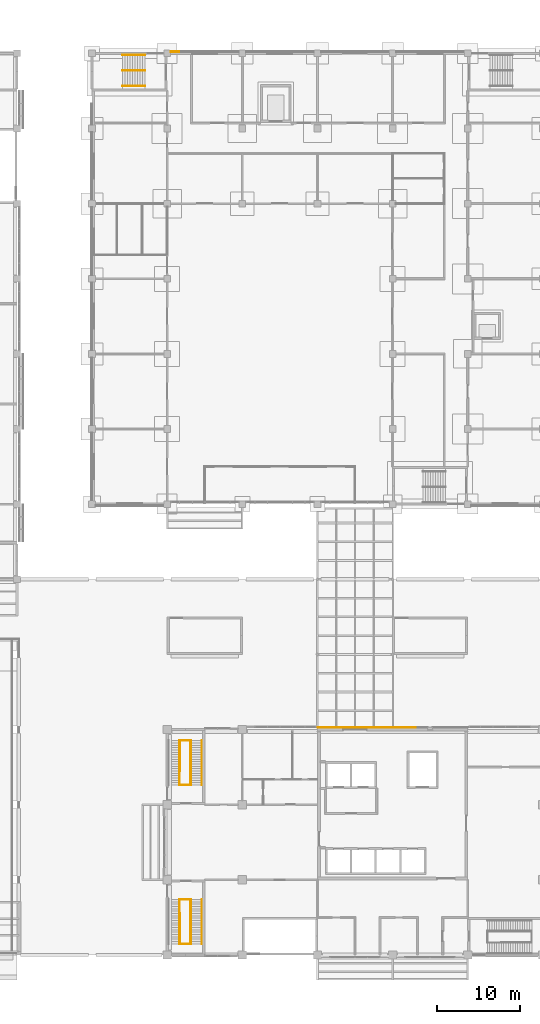
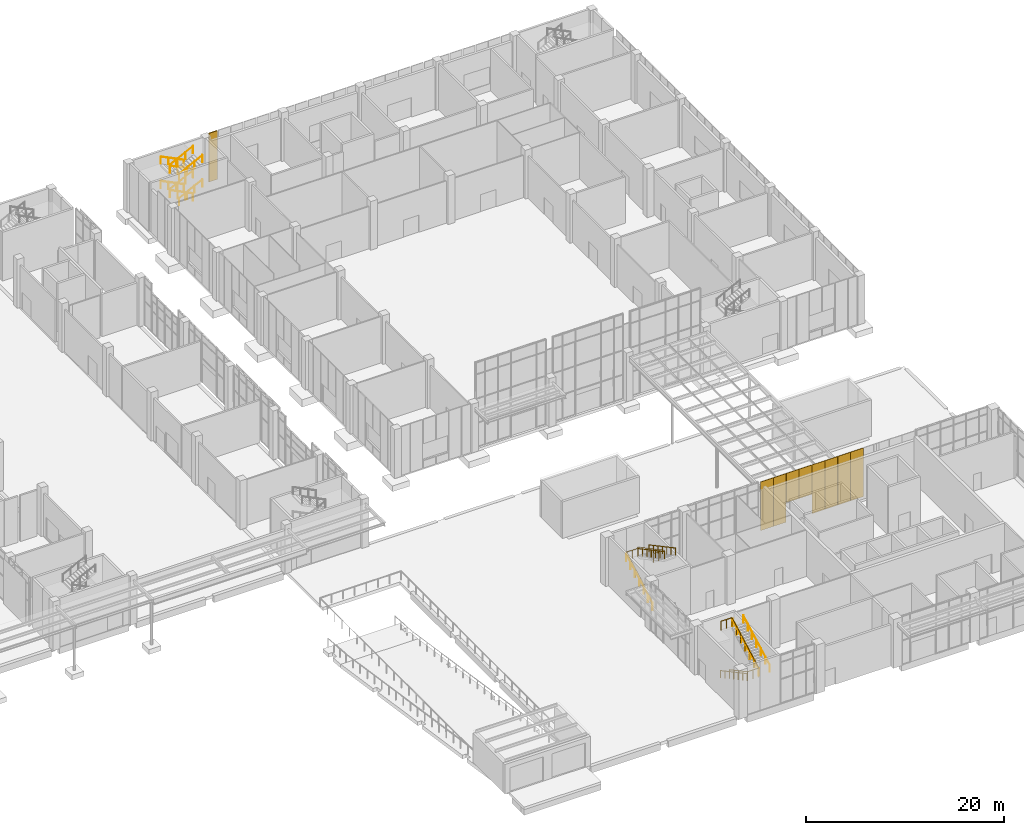
# One storey, part 81 of 86: 16 railings, 9 coverings.
"""IFC4 building model written with IfcOpenShell, lengths in metres."""

import ifcopenshell
import ifcopenshell.guid

model = None  # the IFC model being written
_history = None  # IfcOwnerHistory: only IFC2X3 demands one
_inside = {}  # id of a spatial element -> (the spatial element, [elements in it])
_under = {}  # id of a project, library or spatial element -> (it, [spatial elements below it])
_declared = {}  # id of a project -> (the project, [libraries it declares])
_typed = {}  # id of a type object -> (the type object, [elements of that type])
_made_of = {}  # id of a material, layer set ... -> (it, [elements and type objects made of it])


def new_model(schema):
    """Start an empty IFC model of exactly this schema.

    Asked for "IFC4X3", IfcOpenShell would pick the latest addendum, in which some entities
    have other attributes; the version numbers below select the first issue.
    IFC2X3 requires an IfcOwnerHistory on every rooted entity: one is made here for all.
    """
    global model, _history
    if schema == "IFC4X3":
        model = ifcopenshell.file(schema_version=(4, 3, 0, 0))
    else:
        model = ifcopenshell.file(schema=schema)
    _inside.clear()
    _under.clear()
    _declared.clear()
    _typed.clear()
    _made_of.clear()
    _history = None
    if model.schema == "IFC2X3":
        org = make("IfcOrganization", Name="unknown")
        user = make(
            "IfcPersonAndOrganization",
            ThePerson=make("IfcPerson", FamilyName="unknown"),
            TheOrganization=org,
        )
        app = make(
            "IfcApplication",
            ApplicationDeveloper=org,
            Version="unknown",
            ApplicationFullName="unknown",
            ApplicationIdentifier="unknown",
        )
        _history = make(
            "IfcOwnerHistory",
            OwningUser=user,
            OwningApplication=app,
            ChangeAction="ADDED",
            CreationDate=0,
        )
    return model


def make(cls, **values):
    """One entity of the class cls with the attributes given. An attribute that is None is left unset."""
    return model.create_entity(
        cls, **{name: value for name, value in values.items() if value is not None}
    )


def rooted(cls, **values):
    """An entity with a GlobalId (a new one), such as an element, a storey or a relation."""
    return make(cls, GlobalId=ifcopenshell.guid.new(), OwnerHistory=_history, **values)


def si_unit(unit_type, name, prefix=None):
    """IfcSIUnit, for example si_unit("LENGTHUNIT", "METRE", prefix="MILLI")."""
    return make("IfcSIUnit", UnitType=unit_type, Prefix=prefix, Name=name)


def assignment(units):
    """IfcUnitAssignment: the units of a project."""
    return None if units is None else make("IfcUnitAssignment", Units=units)


def point(xyz):
    """IfcCartesianPoint."""
    return None if xyz is None else make("IfcCartesianPoint", Coordinates=xyz)


def direction(xyz):
    """IfcDirection."""
    return None if xyz is None else make("IfcDirection", DirectionRatios=xyz)


def frame(location, z_axis=None, x_axis=None):
    """IfcAxis2Placement3D, a coordinate frame: its origin and axes. An axis left out is left unset."""
    return make(
        "IfcAxis2Placement3D",
        Location=point(location),
        Axis=direction(z_axis),
        RefDirection=direction(x_axis),
    )


def frame_2d(location, x_axis=None):
    """IfcAxis2Placement2D, a coordinate frame in the plane: its origin and x axis."""
    return make(
        "IfcAxis2Placement2D", Location=point(location), RefDirection=direction(x_axis)
    )


def origin():
    """The frame at (0, 0, 0) with its axes left unset."""
    return frame((0.0, 0.0, 0.0))


def origin_2d():
    """The frame at (0, 0) in the plane with its x axis left unset."""
    return frame_2d((0.0, 0.0))


def place(relative_to, where):
    """IfcLocalPlacement: puts the frame where relative to a parent placement (None: the world)."""
    return make(
        "IfcLocalPlacement", PlacementRelTo=relative_to, RelativePlacement=where
    )


def context(
    kind, dimensions, precision=None, world=None, true_north=None, identifier=None
):
    """IfcGeometricRepresentationContext, for example the 3D "Model" context."""
    return make(
        "IfcGeometricRepresentationContext",
        ContextIdentifier=identifier,
        ContextType=kind,
        CoordinateSpaceDimension=dimensions,
        Precision=precision,
        WorldCoordinateSystem=world,
        TrueNorth=true_north,
    )


def subcontext(parent, identifier, kind, view, scale=None):
    """IfcGeometricRepresentationSubContext, for example "Body" below "Model"."""
    return make(
        "IfcGeometricRepresentationSubContext",
        ContextIdentifier=identifier,
        ContextType=kind,
        ParentContext=parent,
        TargetScale=scale,
        TargetView=view,
    )


def project(units=None, contexts=None):
    """IfcProject with its units and contexts."""
    return rooted(
        "IfcProject",
        Name="project",
        RepresentationContexts=contexts,
        UnitsInContext=assignment(units),
    )


def spatial(cls, under=None, at=None, **own):
    """A site, building, storey or space (cls), placed at a placement, below another one or the project."""
    s = rooted(cls, ObjectPlacement=at, **own)
    if under is not None:
        _under.setdefault(under.id(), (under, []))[1].append(s)
    return s


def profile(cls, at=None, kind="AREA", **sizes):
    """A parametric profile (cls). Its sizes go by their IFC names, for example OverallWidth=200.0."""
    return make(cls, ProfileType=kind, Position=at, **sizes)


def rectangle(**sizes):
    """IfcRectangleProfileDef."""
    return profile("IfcRectangleProfileDef", **sizes)


def circle(**sizes):
    """IfcCircleProfileDef."""
    return profile("IfcCircleProfileDef", **sizes)


def extrude(swept, where, along, depth):
    """IfcExtrudedAreaSolid: the profile swept, set in the frame where, extruded along a direction by depth."""
    return make(
        "IfcExtrudedAreaSolid",
        SweptArea=swept,
        Position=where,
        ExtrudedDirection=direction(along),
        Depth=depth,
    )


def shape(context_of_items, identifier, shape_type, items):
    """IfcShapeRepresentation: the items that make up one representation, for example the "Body"."""
    return make(
        "IfcShapeRepresentation",
        ContextOfItems=context_of_items,
        RepresentationIdentifier=identifier,
        RepresentationType=shape_type,
        Items=items,
    )


def material(Name=None, Category=None):
    """IfcMaterial."""
    return make("IfcMaterial", Name=Name, Category=Category)


def layer(
    of_material, thickness, ventilated=None, Name=None, Category=None, Priority=None
):
    """IfcMaterialLayer: one layer of a wall or slab, of a material (None: an air gap)."""
    return make(
        "IfcMaterialLayer",
        Material=of_material,
        LayerThickness=thickness,
        IsVentilated=ventilated,
        Name=Name,
        Category=Category,
        Priority=Priority,
    )


def layer_set(layers, Name=None):
    """IfcMaterialLayerSet."""
    return make("IfcMaterialLayerSet", MaterialLayers=layers, LayerSetName=Name)


def made_of(thing, what):
    """Note that an element or type object is made of a material, layer set ...; save() writes the relation."""
    if what is not None:
        _made_of.setdefault(what.id(), (what, []))[1].append(thing)
    return thing


def type_object(cls, material=None, **own):
    """A type object (cls), such as IfcWallType, which elements share."""
    return made_of(rooted(cls, **own), material)


def element(
    cls,
    number,
    at=None,
    inside=None,
    cuts=None,
    type_object=None,
    material=None,
    context=None,
    identifier="Body",
    shape_type=None,
    held_by="IfcProductDefinitionShape",
    body=None,
    shapes=None,
    **own,
):
    """One element of the class cls, such as IfcWall. Its Tag is "e" and its number.

    at: its placement. inside: the storey or other place that contains it. cuts: it is an
    opening in that element (IfcRelVoidsElement). A single representation is given by context,
    identifier, shape_type and body (its items); several are given by shapes. held_by: the class
    of the entity that holds the representations. save() writes the other relations.
    """
    e = rooted(cls, Tag="e%d" % number, ObjectPlacement=at, **own)
    if body is not None:
        shapes = [shape(context, identifier, shape_type, body)]
    if shapes is not None:
        e.Representation = make(held_by, Representations=shapes)
    if inside is not None:
        _inside.setdefault(inside.id(), (inside, []))[1].append(e)
    if cuts is not None:
        rooted(
            "IfcRelVoidsElement", RelatingBuildingElement=cuts, RelatedOpeningElement=e
        )
    if type_object is not None:
        _typed.setdefault(type_object.id(), (type_object, []))[1].append(e)
    return made_of(e, material)


def aggregate(whole, parts):
    """IfcRelAggregates: a whole, such as a stair, and the parts it consists of."""
    return rooted("IfcRelAggregates", RelatingObject=whole, RelatedObjects=parts)


def save(model, path):
    """Write the relations noted so far, then the file.

    IfcRelAggregates (storeys below a building ...), IfcRelContainedInSpatialStructure (elements
    in a storey), IfcRelDefinesByType, IfcRelAssociatesMaterial and IfcRelDeclares: one each for
    every whole, place, type object, material and project.
    """
    for whole, parts in _under.values():
        aggregate(whole, parts)
    for where, things in _inside.values():
        rooted(
            "IfcRelContainedInSpatialStructure",
            RelatedElements=things,
            RelatingStructure=where,
        )
    for kind, things in _typed.values():
        rooted("IfcRelDefinesByType", RelatedObjects=things, RelatingType=kind)
    for what, things in _made_of.values():
        rooted("IfcRelAssociatesMaterial", RelatedObjects=things, RelatingMaterial=what)
    for by, libraries in _declared.values():
        rooted("IfcRelDeclares", RelatingContext=by, RelatedDefinitions=libraries)
    model.write(path)


model = new_model("IFC4")

# Units and contexts
model_context = context("Model", 3, precision=1e-05, world=origin(), true_north=direction((0.0, 1.0)))
body_context = subcontext(model_context, "Body", "Model", "MODEL_VIEW")
ifc_project = project(units=[si_unit("LENGTHUNIT", "METRE"), si_unit("AREAUNIT", "SQUARE_METRE"), si_unit("VOLUMEUNIT", "CUBIC_METRE"), si_unit("PLANEANGLEUNIT", "RADIAN"), si_unit("MASSUNIT", "GRAM", prefix="KILO")], contexts=[model_context])

# Site, building, storey
site_placement = place(None, origin())
site = spatial("IfcSite", under=ifc_project, at=site_placement, CompositionType="ELEMENT")
building_placement = place(site_placement, origin())
building = spatial("IfcBuilding", under=site, at=building_placement, Name="Guidao Yard Department Store", CompositionType="ELEMENT")
storey_placement = place(building_placement, origin())
storey = spatial("IfcBuildingStorey", under=building, at=storey_placement, Name="L00", CompositionType="ELEMENT", Elevation=0.0)

# Coverings
ifc_material_1 = material(Name="Clinker brick", Category="masonry")
ifc_layer_1 = layer(ifc_material_1, 0.10009765625)
ifc_layer_set_1 = layer_set([ifc_layer_1], Name="Clinker brick panel BR1 on rainscreen")
covering_type_1 = type_object("IfcCoveringType", Name="Clinker brick panel BR1 on rainscreen", PredefinedType="CLADDING", material=ifc_layer_set_1)
covering_placement = place(storey_placement, frame((126.949951171875, 108.199951171875, 0.0), z_axis=(0.0, 0.0, 1.0), x_axis=(1.0, 0.0, 0.0)))
element("IfcCovering", 1, at=covering_placement, inside=storey, type_object=covering_type_1, Name="Clinker brick panel", PredefinedType="CLADDING", context=body_context, shape_type="SweptSolid", body=[
    extrude(rectangle(XDim=1.0, YDim=0.10009765625, at=origin_2d()), origin(), (0.0, 0.0, 1.0), 6.0),
])
ifc_material_2 = material(Name="Anodised aluminium 6063-T5 cladding", Category="aluminium")
ifc_layer_2 = layer(ifc_material_2, 0.050048828125)
ifc_layer_set_2 = layer_set([ifc_layer_2], Name="Facade cladding CP1 anodised aluminium panel 6063")
covering_type_2 = type_object("IfcCoveringType", Name="Facade cladding CP1 anodised aluminium panel 6063", PredefinedType="CLADDING", material=ifc_layer_set_2)
for number, where, z_axis, x_axis, name in (
    (2, (144.75, 27.22509765625, 0.0), (0.0, 0.0, 1.0), (1.0, 0.0, 0.0), "Core face cladding"),
    (3, (146.25, 27.22509765625, 0.0), (0.0, 0.0, 1.0), (1.0, 0.0, 0.0), "Core face cladding"),
):
    element("IfcCovering", number, at=place(storey_placement, frame(where, z_axis=z_axis, x_axis=x_axis)), inside=storey, type_object=covering_type_2, Name=name, PredefinedType="CLADDING", context=body_context, shape_type="SweptSolid", body=[
        extrude(rectangle(XDim=1.47998046875, YDim=0.050048828125, at=origin_2d()), origin(), (0.0, 0.0, 1.0), 6.0),
    ])
for number, where, z_axis, x_axis, name in (
    (4, (147.75, 27.22509765625, 2.39990234375), (0.0, 0.0, 1.0), (1.0, 0.0, 0.0), "Core face cladding"),
    (5, (149.25, 27.22509765625, 2.39990234375), (0.0, 0.0, 1.0), (1.0, 0.0, 0.0), "Core face cladding"),
):
    element("IfcCovering", number, at=place(storey_placement, frame(where, z_axis=z_axis, x_axis=x_axis)), inside=storey, type_object=covering_type_2, Name=name, PredefinedType="CLADDING", context=body_context, shape_type="SweptSolid", body=[
        extrude(rectangle(XDim=1.47998046875, YDim=0.050048828125, at=origin_2d()), origin(), (0.0, 0.0, 1.0), 3.60009765625),
    ])
for number, where, z_axis, x_axis, name in (
    (6, (150.75, 27.22509765625, 0.0), (0.0, 0.0, 1.0), (1.0, 0.0, 0.0), "Core face cladding"),
    (7, (152.25, 27.22509765625, 0.0), (0.0, 0.0, 1.0), (1.0, 0.0, 0.0), "Core face cladding"),
    (8, (153.75, 27.22509765625, 0.0), (0.0, 0.0, 1.0), (1.0, 0.0, 0.0), "Core face cladding"),
    (9, (155.25, 27.22509765625, 0.0), (0.0, 0.0, 1.0), (1.0, 0.0, 0.0), "Core face cladding"),
):
    element("IfcCovering", number, at=place(storey_placement, frame(where, z_axis=z_axis, x_axis=x_axis)), inside=storey, type_object=covering_type_2, Name=name, PredefinedType="CLADDING", context=body_context, shape_type="SweptSolid", body=[
        extrude(rectangle(XDim=1.47998046875, YDim=0.050048828125, at=origin_2d()), origin(), (0.0, 0.0, 1.0), 6.0),
    ])

# Railings
ifc_material_3 = material(Name="Steel Q235", Category="steel")
railing_type_1 = type_object("IfcRailingType", Name="Guard steel balustrade 1100", PredefinedType="GUARDRAIL", material=ifc_material_3)
railing_1_placement = place(storey_placement, frame((127.52490234375, 4.969970703125, 1.050048828125)))
element("IfcRailing", 10, at=railing_1_placement, inside=storey, type_object=railing_type_1, Name="Stair O1 guard L00 4", PredefinedType="GUARDRAIL", context=body_context, shape_type="SweptSolid", body=[
    extrude(circle(Radius=0.02392578125, at=origin_2d()), frame((0.0, 0.0, 1.076171875), z_axis=(0.0, -0.881479091078, 0.472223053219), x_axis=(1.0, 0.0, 0.0)), (0.0, 0.0, 1.0), 4.12939453125),
    extrude(circle(Radius=0.02392578125, at=origin_2d()), frame((0.0, -3.639892578125, 3.02587890625), z_axis=(1.0, 0.0, 0.0), x_axis=(0.0, 1.0, 0.0)), (0.0, 0.0, 1.0), 1.275146484375),
    extrude(circle(Radius=0.02392578125, at=origin_2d()), frame((1.275146484375, -3.639892578125, 3.02587890625), z_axis=(0.0, 0.0, 1.0), x_axis=(1.0, 0.0, 0.0)), (0.0, 0.0, 1.0), 0.14990234375),
    extrude(circle(Radius=0.02392578125, at=origin_2d()), frame((1.275146484375, -3.639892578125, 3.17578125), z_axis=(0.0, 0.881466739329, 0.472246108991), x_axis=(-1.0, 0.0, 0.0)), (0.0, 0.0, 1.0), 6.03515625),
    extrude(circle(Radius=0.02392578125, at=origin_2d()), frame((1.275146484375, 1.679931640625, 6.02587890625), z_axis=(-1.0, 0.0, 0.0), x_axis=(0.0, -1.0, 0.0)), (0.0, 0.0, 1.0), 1.275146484375),
    extrude(circle(Radius=0.02099609375, at=origin_2d()), origin(), (0.0, 0.0, 1.0), 1.052001953125),
    extrude(circle(Radius=0.02099609375, at=origin_2d()), frame((0.0, -0.909912109375, 0.487548828125)), (0.0, 0.0, 1.0), 1.052001953125),
    extrude(circle(Radius=0.02099609375, at=origin_2d()), frame((0.0, -1.81982421875, 0.97509765625)), (0.0, 0.0, 1.0), 1.052001953125),
    extrude(circle(Radius=0.02099609375, at=origin_2d()), frame((0.0, -2.72998046875, 1.46240234375)), (0.0, 0.0, 1.0), 1.052001953125),
    extrude(circle(Radius=0.02099609375, at=origin_2d()), frame((0.0, -3.639892578125, 1.949951171875)), (0.0, 0.0, 1.0), 1.052001953125),
    extrude(circle(Radius=0.02099609375, at=origin_2d()), frame((0.6376953125, -3.639892578125, 1.949951171875)), (0.0, 0.0, 1.0), 1.052001953125),
    extrude(circle(Radius=0.02099609375, at=origin_2d()), frame((1.275146484375, -3.639892578125, 1.949951171875)), (0.0, 0.0, 1.0), 1.052001953125),
    extrude(circle(Radius=0.02099609375, at=origin_2d()), frame((1.275146484375, -3.639892578125, 2.099853515625)), (0.0, 0.0, 1.0), 1.052001953125),
    extrude(circle(Radius=0.02099609375, at=origin_2d()), frame((1.275146484375, -2.753173828125, 2.574951171875)), (0.0, 0.0, 1.0), 1.052001953125),
    extrude(circle(Radius=0.02099609375, at=origin_2d()), frame((1.275146484375, -1.86669921875, 3.0498046875)), (0.0, 0.0, 1.0), 1.052001953125),
    extrude(circle(Radius=0.02099609375, at=origin_2d()), frame((1.275146484375, -0.97998046875, 3.52490234375)), (0.0, 0.0, 1.0), 1.052001953125),
    extrude(circle(Radius=0.02099609375, at=origin_2d()), frame((1.275146484375, -0.09326171875, 4.0)), (0.0, 0.0, 1.0), 1.052001953125),
    extrude(circle(Radius=0.02099609375, at=origin_2d()), frame((1.275146484375, 0.793212890625, 4.474853515625)), (0.0, 0.0, 1.0), 1.052001953125),
    extrude(circle(Radius=0.02099609375, at=origin_2d()), frame((1.275146484375, 1.679931640625, 4.949951171875)), (0.0, 0.0, 1.0), 1.052001953125),
    extrude(circle(Radius=0.02099609375, at=origin_2d()), frame((0.6376953125, 1.679931640625, 4.949951171875)), (0.0, 0.0, 1.0), 1.052001953125),
    extrude(circle(Radius=0.02099609375, at=origin_2d()), frame((0.0, 1.679931640625, 4.949951171875)), (0.0, 0.0, 1.0), 1.052001953125),
])
railing_2_placement = place(storey_placement, frame((127.52490234375, 22.030029296875, 1.050048828125)))
element("IfcRailing", 11, at=railing_2_placement, inside=storey, type_object=railing_type_1, Name="Stair O3 guard L00 6", PredefinedType="GUARDRAIL", context=body_context, shape_type="SweptSolid", body=[
    extrude(circle(Radius=0.02392578125, at=origin_2d()), frame((0.0, 0.0, 1.076171875), z_axis=(0.0, 0.881479091078, 0.472223053219), x_axis=(-1.0, 0.0, 0.0)), (0.0, 0.0, 1.0), 4.12939453125),
    extrude(circle(Radius=0.02392578125, at=origin_2d()), frame((0.0, 3.639892578125, 3.02587890625), z_axis=(1.0, 0.0, 0.0), x_axis=(0.0, 1.0, 0.0)), (0.0, 0.0, 1.0), 1.275146484375),
    extrude(circle(Radius=0.02392578125, at=origin_2d()), frame((1.275146484375, 3.639892578125, 3.02587890625), z_axis=(0.0, 0.0, 1.0), x_axis=(1.0, 0.0, 0.0)), (0.0, 0.0, 1.0), 0.14990234375),
    extrude(circle(Radius=0.02392578125, at=origin_2d()), frame((1.275146484375, 3.639892578125, 3.17578125), z_axis=(0.0, -0.881466739329, 0.472246108991), x_axis=(1.0, 0.0, 0.0)), (0.0, 0.0, 1.0), 6.03515625),
    extrude(circle(Radius=0.02392578125, at=origin_2d()), frame((1.275146484375, -1.679931640625, 6.02587890625), z_axis=(-1.0, 0.0, 0.0), x_axis=(0.0, -1.0, 0.0)), (0.0, 0.0, 1.0), 1.275146484375),
    extrude(circle(Radius=0.02099609375, at=origin_2d()), origin(), (0.0, 0.0, 1.0), 1.052001953125),
    extrude(circle(Radius=0.02099609375, at=origin_2d()), frame((0.0, 0.909912109375, 0.487548828125)), (0.0, 0.0, 1.0), 1.052001953125),
    extrude(circle(Radius=0.02099609375, at=origin_2d()), frame((0.0, 1.81982421875, 0.97509765625)), (0.0, 0.0, 1.0), 1.052001953125),
    extrude(circle(Radius=0.02099609375, at=origin_2d()), frame((0.0, 2.72998046875, 1.46240234375)), (0.0, 0.0, 1.0), 1.052001953125),
    extrude(circle(Radius=0.02099609375, at=origin_2d()), frame((0.0, 3.639892578125, 1.949951171875)), (0.0, 0.0, 1.0), 1.052001953125),
    extrude(circle(Radius=0.02099609375, at=origin_2d()), frame((0.6376953125, 3.639892578125, 1.949951171875)), (0.0, 0.0, 1.0), 1.052001953125),
    extrude(circle(Radius=0.02099609375, at=origin_2d()), frame((1.275146484375, 3.639892578125, 1.949951171875)), (0.0, 0.0, 1.0), 1.052001953125),
    extrude(circle(Radius=0.02099609375, at=origin_2d()), frame((1.275146484375, 3.639892578125, 2.099853515625)), (0.0, 0.0, 1.0), 1.052001953125),
    extrude(circle(Radius=0.02099609375, at=origin_2d()), frame((1.275146484375, 2.753173828125, 2.574951171875)), (0.0, 0.0, 1.0), 1.052001953125),
    extrude(circle(Radius=0.02099609375, at=origin_2d()), frame((1.275146484375, 1.86669921875, 3.0498046875)), (0.0, 0.0, 1.0), 1.052001953125),
    extrude(circle(Radius=0.02099609375, at=origin_2d()), frame((1.275146484375, 0.97998046875, 3.52490234375)), (0.0, 0.0, 1.0), 1.052001953125),
    extrude(circle(Radius=0.02099609375, at=origin_2d()), frame((1.275146484375, 0.09326171875, 4.0)), (0.0, 0.0, 1.0), 1.052001953125),
    extrude(circle(Radius=0.02099609375, at=origin_2d()), frame((1.275146484375, -0.793212890625, 4.474853515625)), (0.0, 0.0, 1.0), 1.052001953125),
    extrude(circle(Radius=0.02099609375, at=origin_2d()), frame((1.275146484375, -1.679931640625, 4.949951171875)), (0.0, 0.0, 1.0), 1.052001953125),
    extrude(circle(Radius=0.02099609375, at=origin_2d()), frame((0.6376953125, -1.679931640625, 4.949951171875)), (0.0, 0.0, 1.0), 1.052001953125),
    extrude(circle(Radius=0.02099609375, at=origin_2d()), frame((0.0, -1.679931640625, 4.949951171875)), (0.0, 0.0, 1.0), 1.052001953125),
])
ifc_material_4 = material(Name="Steel Q235", Category="steel")
railing_type_2 = type_object("IfcRailingType", Name="Handrail steel tube 48", PredefinedType="HANDRAIL", material=ifc_material_4)
for number, where, name in (
    (12, (123.35009765625, 107.81494140625, 0.14990234375), "Stair F3 hand rail L00 73"),
    (13, (123.35009765625, 105.949951171875, 0.14990234375), "Stair F3 hand rail L00 74"),
):
    element("IfcRailing", number, at=place(storey_placement, frame(where)), inside=storey, type_object=railing_type_2, Name=name, PredefinedType="HANDRAIL", context=body_context, shape_type="SweptSolid", body=[
        extrude(circle(Radius=0.02392578125, at=origin_2d()), frame((0.0, 0.0, 0.8759765625), z_axis=(-0.894427191, 0.0, 0.4472135955), x_axis=(0.0, -1.0, 0.0)), (0.0, 0.0, 1.0), 3.018798828125),
        extrude(circle(Radius=0.02099609375, at=origin_2d()), origin(), (0.0, 0.0, 1.0), 0.851806640625),
        extrude(circle(Radius=0.02099609375, at=origin_2d()), frame((-0.900146484375, 0.0, 0.449951171875)), (0.0, 0.0, 1.0), 0.851806640625),
        extrude(circle(Radius=0.02099609375, at=origin_2d()), frame((-1.800048828125, 0.0, 0.900146484375)), (0.0, 0.0, 1.0), 0.851806640625),
        extrude(circle(Radius=0.02099609375, at=origin_2d()), frame((-2.7001953125, 0.0, 1.35009765625)), (0.0, 0.0, 1.0), 0.851806640625),
    ])
for number, where, name in (
    (14, (120.64990234375, 104.0849609375, 1.64990234375), "Stair F3 hand rail L00 75"),
    (15, (120.64990234375, 105.949951171875, 1.64990234375), "Stair F3 hand rail L00 76"),
):
    element("IfcRailing", number, at=place(storey_placement, frame(where)), inside=storey, type_object=railing_type_2, Name=name, PredefinedType="HANDRAIL", context=body_context, shape_type="SweptSolid", body=[
        extrude(circle(Radius=0.02392578125, at=origin_2d()), frame((0.0, 0.0, 0.8759765625), z_axis=(0.894427191, 0.0, 0.4472135955), x_axis=(0.0, 1.0, 0.0)), (0.0, 0.0, 1.0), 3.018798828125),
        extrude(circle(Radius=0.02099609375, at=origin_2d()), origin(), (0.0, 0.0, 1.0), 0.851806640625),
        extrude(circle(Radius=0.02099609375, at=origin_2d()), frame((0.900146484375, 0.0, 0.449951171875)), (0.0, 0.0, 1.0), 0.851806640625),
        extrude(circle(Radius=0.02099609375, at=origin_2d()), frame((1.800048828125, 0.0, 0.900146484375)), (0.0, 0.0, 1.0), 0.851806640625),
        extrude(circle(Radius=0.02099609375, at=origin_2d()), frame((2.7001953125, 0.0, 1.35009765625)), (0.0, 0.0, 1.0), 0.851806640625),
    ])
for number, where, name in (
    (16, (123.35009765625, 107.81494140625, 3.14990234375), "Stair F3 hand rail L00 77"),
    (17, (123.35009765625, 105.949951171875, 3.14990234375), "Stair F3 hand rail L00 78"),
):
    element("IfcRailing", number, at=place(storey_placement, frame(where)), inside=storey, type_object=railing_type_2, Name=name, PredefinedType="HANDRAIL", context=body_context, shape_type="SweptSolid", body=[
        extrude(circle(Radius=0.02392578125, at=origin_2d()), frame((0.0, 0.0, 0.8759765625), z_axis=(-0.894427191, 0.0, 0.4472135955), x_axis=(0.0, -1.0, 0.0)), (0.0, 0.0, 1.0), 3.018798828125),
        extrude(circle(Radius=0.02099609375, at=origin_2d()), origin(), (0.0, 0.0, 1.0), 0.851806640625),
        extrude(circle(Radius=0.02099609375, at=origin_2d()), frame((-0.900146484375, 0.0, 0.449951171875)), (0.0, 0.0, 1.0), 0.851806640625),
        extrude(circle(Radius=0.02099609375, at=origin_2d()), frame((-1.800048828125, 0.0, 0.900146484375)), (0.0, 0.0, 1.0), 0.851806640625),
        extrude(circle(Radius=0.02099609375, at=origin_2d()), frame((-2.7001953125, 0.0, 1.35009765625)), (0.0, 0.0, 1.0), 0.851806640625),
    ])
for number, where, name in (
    (18, (120.64990234375, 104.0849609375, 4.64990234375), "Stair F3 hand rail L00 79"),
    (19, (120.64990234375, 105.949951171875, 4.64990234375), "Stair F3 hand rail L00 80"),
):
    element("IfcRailing", number, at=place(storey_placement, frame(where)), inside=storey, type_object=railing_type_2, Name=name, PredefinedType="HANDRAIL", context=body_context, shape_type="SweptSolid", body=[
        extrude(circle(Radius=0.02392578125, at=origin_2d()), frame((0.0, 0.0, 0.8759765625), z_axis=(0.894427191, 0.0, 0.4472135955), x_axis=(0.0, 1.0, 0.0)), (0.0, 0.0, 1.0), 3.018798828125),
        extrude(circle(Radius=0.02099609375, at=origin_2d()), origin(), (0.0, 0.0, 1.0), 0.851806640625),
        extrude(circle(Radius=0.02099609375, at=origin_2d()), frame((0.900146484375, 0.0, 0.449951171875)), (0.0, 0.0, 1.0), 0.851806640625),
        extrude(circle(Radius=0.02099609375, at=origin_2d()), frame((1.800048828125, 0.0, 0.900146484375)), (0.0, 0.0, 1.0), 0.851806640625),
        extrude(circle(Radius=0.02099609375, at=origin_2d()), frame((2.7001953125, 0.0, 1.35009765625)), (0.0, 0.0, 1.0), 0.851806640625),
    ])
railing_3_placement = place(storey_placement, frame((127.465087890625, 6.64990234375, 0.14990234375)))
element("IfcRailing", 20, at=railing_3_placement, inside=storey, type_object=railing_type_2, Name="Stair O1 hand rail L00 114", PredefinedType="HANDRAIL", context=body_context, shape_type="SweptSolid", body=[
    extrude(circle(Radius=0.02392578125, at=origin_2d()), frame((0.0, 0.0, 0.8759765625), z_axis=(0.0, -0.881466739329, 0.472246108991), x_axis=(1.0, 0.0, 0.0)), (0.0, 0.0, 1.0), 6.03515625),
    extrude(circle(Radius=0.02099609375, at=origin_2d()), origin(), (0.0, 0.0, 1.0), 0.851806640625),
    extrude(circle(Radius=0.02099609375, at=origin_2d()), frame((0.0, -0.88671875, 0.47509765625)), (0.0, 0.0, 1.0), 0.851806640625),
    extrude(circle(Radius=0.02099609375, at=origin_2d()), frame((0.0, -1.773193359375, 0.949951171875)), (0.0, 0.0, 1.0), 0.851806640625),
    extrude(circle(Radius=0.02099609375, at=origin_2d()), frame((0.0, -2.659912109375, 1.425048828125)), (0.0, 0.0, 1.0), 0.851806640625),
    extrude(circle(Radius=0.02099609375, at=origin_2d()), frame((0.0, -3.546630859375, 1.900146484375)), (0.0, 0.0, 1.0), 0.851806640625),
    extrude(circle(Radius=0.02099609375, at=origin_2d()), frame((0.0, -4.43310546875, 2.375)), (0.0, 0.0, 1.0), 0.851806640625),
    extrude(circle(Radius=0.02099609375, at=origin_2d()), frame((0.0, -5.31982421875, 2.85009765625)), (0.0, 0.0, 1.0), 0.851806640625),
])
for number, where, name in (
    (21, (128.860107421875, 1.330078125, 3.14990234375), "Stair O1 hand rail L00 115"),
    (22, (130.139892578125, 1.330078125, 3.14990234375), "Stair O1 hand rail L00 116"),
    (23, (127.465087890625, 20.35009765625, 0.14990234375), "Stair O3 hand rail L00 122"),
):
    element("IfcRailing", number, at=place(storey_placement, frame(where)), inside=storey, type_object=railing_type_2, Name=name, PredefinedType="HANDRAIL", context=body_context, shape_type="SweptSolid", body=[
        extrude(circle(Radius=0.02392578125, at=origin_2d()), frame((0.0, 0.0, 0.8759765625), z_axis=(0.0, 0.881466739329, 0.472246108991), x_axis=(-1.0, 0.0, 0.0)), (0.0, 0.0, 1.0), 6.03515625),
        extrude(circle(Radius=0.02099609375, at=origin_2d()), origin(), (0.0, 0.0, 1.0), 0.851806640625),
        extrude(circle(Radius=0.02099609375, at=origin_2d()), frame((0.0, 0.88671875, 0.47509765625)), (0.0, 0.0, 1.0), 0.851806640625),
        extrude(circle(Radius=0.02099609375, at=origin_2d()), frame((0.0, 1.773193359375, 0.949951171875)), (0.0, 0.0, 1.0), 0.851806640625),
        extrude(circle(Radius=0.02099609375, at=origin_2d()), frame((0.0, 2.659912109375, 1.425048828125)), (0.0, 0.0, 1.0), 0.851806640625),
        extrude(circle(Radius=0.02099609375, at=origin_2d()), frame((0.0, 3.546630859375, 1.900146484375)), (0.0, 0.0, 1.0), 0.851806640625),
        extrude(circle(Radius=0.02099609375, at=origin_2d()), frame((0.0, 4.43310546875, 2.375)), (0.0, 0.0, 1.0), 0.851806640625),
        extrude(circle(Radius=0.02099609375, at=origin_2d()), frame((0.0, 5.31982421875, 2.85009765625)), (0.0, 0.0, 1.0), 0.851806640625),
    ])
for number, where, name in (
    (24, (128.860107421875, 25.669921875, 3.14990234375), "Stair O3 hand rail L00 123"),
    (25, (130.139892578125, 25.669921875, 3.14990234375), "Stair O3 hand rail L00 124"),
):
    element("IfcRailing", number, at=place(storey_placement, frame(where)), inside=storey, type_object=railing_type_2, Name=name, PredefinedType="HANDRAIL", context=body_context, shape_type="SweptSolid", body=[
        extrude(circle(Radius=0.02392578125, at=origin_2d()), frame((0.0, 0.0, 0.8759765625), z_axis=(0.0, -0.881466739329, 0.472246108991), x_axis=(1.0, 0.0, 0.0)), (0.0, 0.0, 1.0), 6.03515625),
        extrude(circle(Radius=0.02099609375, at=origin_2d()), origin(), (0.0, 0.0, 1.0), 0.851806640625),
        extrude(circle(Radius=0.02099609375, at=origin_2d()), frame((0.0, -0.88671875, 0.47509765625)), (0.0, 0.0, 1.0), 0.851806640625),
        extrude(circle(Radius=0.02099609375, at=origin_2d()), frame((0.0, -1.773193359375, 0.949951171875)), (0.0, 0.0, 1.0), 0.851806640625),
        extrude(circle(Radius=0.02099609375, at=origin_2d()), frame((0.0, -2.659912109375, 1.425048828125)), (0.0, 0.0, 1.0), 0.851806640625),
        extrude(circle(Radius=0.02099609375, at=origin_2d()), frame((0.0, -3.546630859375, 1.900146484375)), (0.0, 0.0, 1.0), 0.851806640625),
        extrude(circle(Radius=0.02099609375, at=origin_2d()), frame((0.0, -4.43310546875, 2.375)), (0.0, 0.0, 1.0), 0.851806640625),
        extrude(circle(Radius=0.02099609375, at=origin_2d()), frame((0.0, -5.31982421875, 2.85009765625)), (0.0, 0.0, 1.0), 0.851806640625),
    ])

save(model, "model.ifc")
